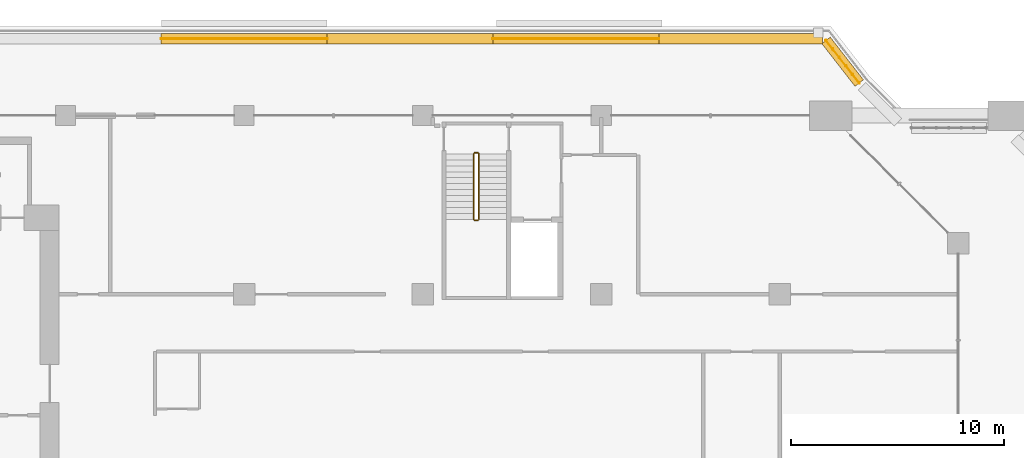
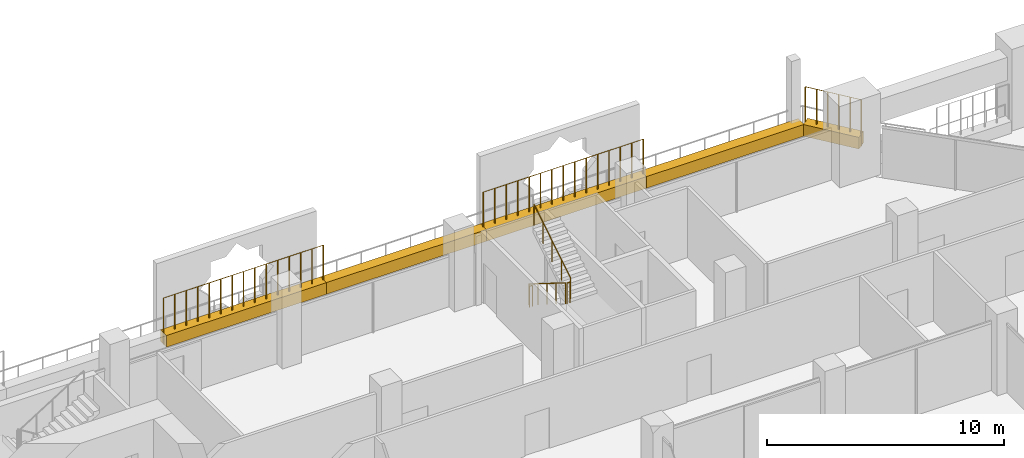
# One storey, part 22 of 23: 7 railings, 5 coverings.
"""IFC4 building model written with IfcOpenShell, lengths in metres."""

from ifc_helpers import new_model, si_unit, direction, frame, origin, origin_2d, place, context, subcontext, project, spatial, rectangle, circle, extrude, material, material_profile, profile_set, type_object, element, save


model = new_model("IFC4")

# Units and contexts
model_context = context("Model", 3, precision=1e-05, world=origin(), true_north=direction((0.0, 1.0)))
body_context = subcontext(model_context, "Body", "Model", "MODEL_VIEW")
ifc_project = project(units=[si_unit("LENGTHUNIT", "METRE"), si_unit("AREAUNIT", "SQUARE_METRE"), si_unit("VOLUMEUNIT", "CUBIC_METRE"), si_unit("PLANEANGLEUNIT", "RADIAN"), si_unit("MASSUNIT", "GRAM", prefix="KILO")], contexts=[model_context])

# Site, building, storey
site_placement = place(None, origin())
site = spatial("IfcSite", under=ifc_project, at=site_placement, CompositionType="ELEMENT")
building_placement = place(site_placement, origin())
building = spatial("IfcBuilding", under=site, at=building_placement, Name="Kawkab Arch Medical Tower", CompositionType="ELEMENT")
storey_placement = place(building_placement, frame((0.0, 0.0, 158.39990234375)))
storey = spatial("IfcBuildingStorey", under=building, at=storey_placement, Name="L36", CompositionType="ELEMENT", Elevation=158.39990234375)

# Coverings
ifc_material_1 = material(Name="Planting soil in a precast trough", Category="concrete")
ifc_material_profile = material_profile(ifc_material_1, rectangle(XDim=0.5, YDim=0.60009765625, at=origin_2d()), Name="Trough 500x600")
ifc_profile_set = profile_set([ifc_material_profile], Name="Planting soil in a precast trough")
covering_type = type_object("IfcCoveringType", Name="Planter trough 500 x 600", PredefinedType="USERDEFINED", material=ifc_profile_set)
covering_1_placement = place(storey_placement, frame((29.697998046875, 3.6201171875, 0.300048828125), z_axis=(1.0, 0.0, 0.0), x_axis=(0.0, 1.0, 0.0)))
element("IfcCovering", 1, at=covering_1_placement, inside=storey, type_object=covering_type, Name="Planter L36.LOG-01-02.37", ObjectType="PLANTER", PredefinedType="USERDEFINED", context=body_context, shape_type="SweptSolid", body=[
    extrude(rectangle(XDim=0.5, YDim=0.60009765625, at=origin_2d()), origin(), (0.0, 0.0, 1.0), 7.803955078125),
])
covering_2_placement = place(storey_placement, frame((37.501953125, 3.6201171875, 0.300048828125), z_axis=(1.0, 0.0, 0.0), x_axis=(0.0, 1.0, 0.0)))
element("IfcCovering", 2, at=covering_2_placement, inside=storey, type_object=covering_type, Name="Planter L36.LOG-01-02.38", ObjectType="PLANTER", PredefinedType="USERDEFINED", context=body_context, shape_type="SweptSolid", body=[
    extrude(rectangle(XDim=0.5, YDim=0.60009765625, at=origin_2d()), origin(), (0.0, 0.0, 1.0), 7.804931640625),
])
covering_3_placement = place(storey_placement, frame((45.306884765625, 3.6201171875, 0.300048828125), z_axis=(1.0, 0.0, 0.0), x_axis=(0.0, 1.0, 0.0)))
element("IfcCovering", 3, at=covering_3_placement, inside=storey, type_object=covering_type, Name="Planter L36.LOG-01-02.39", ObjectType="PLANTER", PredefinedType="USERDEFINED", context=body_context, shape_type="SweptSolid", body=[
    extrude(rectangle(XDim=0.5, YDim=0.60009765625, at=origin_2d()), origin(), (0.0, 0.0, 1.0), 7.80517578125),
])
covering_4_placement = place(storey_placement, frame((53.112060546875, 3.6201171875, 0.300048828125), z_axis=(1.0, 0.0, 0.0), x_axis=(0.0, 1.0, 0.0)))
element("IfcCovering", 4, at=covering_4_placement, inside=storey, type_object=covering_type, Name="Planter L36.LOG-01-02.40", ObjectType="PLANTER", PredefinedType="USERDEFINED", context=body_context, shape_type="SweptSolid", body=[
    extrude(rectangle(XDim=0.5, YDim=0.60009765625, at=origin_2d()), origin(), (0.0, 0.0, 1.0), 7.703857421875),
])
covering_5_placement = place(storey_placement, frame((60.97802734375, 3.541015625, 0.300048828125), z_axis=(0.61404021143, -0.789274742246, 0.0), x_axis=(0.789274742246, 0.61404021143, 0.0)))
element("IfcCovering", 5, at=covering_5_placement, inside=storey, type_object=covering_type, Name="Planter L36.LOG-01-02.41", ObjectType="PLANTER", PredefinedType="USERDEFINED", context=body_context, shape_type="SweptSolid", body=[
    extrude(rectangle(XDim=0.5, YDim=0.60009765625, at=origin_2d()), origin(), (0.0, 0.0, 1.0), 2.54541015625),
])

# Railings
ifc_material_2 = material(Name="Bronze anodised aluminium trellis for climbing plants", Category="aluminium")
railing_type_1 = type_object("IfcRailingType", Name="Planting trellis 2400", PredefinedType="USERDEFINED", material=ifc_material_2)
railing_1_placement = place(storey_placement, frame((29.697998046875, 3.6201171875, 0.0)))
element("IfcRailing", 6, at=railing_1_placement, inside=storey, type_object=railing_type_1, Name="Planting trellis L36.LOG-01-02.37", ObjectType="TRELLIS", PredefinedType="USERDEFINED", context=body_context, shape_type="SweptSolid", body=[
    extrude(circle(Radius=0.01513671875, at=origin_2d()), frame((0.0, 0.0, 2.384765625), z_axis=(1.0, 0.0, 0.0), x_axis=(0.0, 1.0, 0.0)), (0.0, 0.0, 1.0), 7.803955078125),
    extrude(circle(Radius=0.030029296875, at=origin_2d()), origin(), (0.0, 0.0, 1.0), 2.369873046875),
    extrude(circle(Radius=0.030029296875, at=origin_2d()), frame((0.557373046875, 0.0, 0.0)), (0.0, 0.0, 1.0), 2.369873046875),
    extrude(circle(Radius=0.030029296875, at=origin_2d()), frame((1.11474609375, 0.0, 0.0)), (0.0, 0.0, 1.0), 2.369873046875),
    extrude(circle(Radius=0.030029296875, at=origin_2d()), frame((1.67236328125, 0.0, 0.0)), (0.0, 0.0, 1.0), 2.369873046875),
    extrude(circle(Radius=0.030029296875, at=origin_2d()), frame((2.229736328125, 0.0, 0.0)), (0.0, 0.0, 1.0), 2.369873046875),
    extrude(circle(Radius=0.030029296875, at=origin_2d()), frame((2.787109375, 0.0, 0.0)), (0.0, 0.0, 1.0), 2.369873046875),
    extrude(circle(Radius=0.030029296875, at=origin_2d()), frame((3.344482421875, 0.0, 0.0)), (0.0, 0.0, 1.0), 2.369873046875),
    extrude(circle(Radius=0.030029296875, at=origin_2d()), frame((3.90185546875, 0.0, 0.0)), (0.0, 0.0, 1.0), 2.369873046875),
    extrude(circle(Radius=0.030029296875, at=origin_2d()), frame((4.45947265625, 0.0, 0.0)), (0.0, 0.0, 1.0), 2.369873046875),
    extrude(circle(Radius=0.030029296875, at=origin_2d()), frame((5.016845703125, 0.0, 0.0)), (0.0, 0.0, 1.0), 2.369873046875),
    extrude(circle(Radius=0.030029296875, at=origin_2d()), frame((5.57421875, 0.0, 0.0)), (0.0, 0.0, 1.0), 2.369873046875),
    extrude(circle(Radius=0.030029296875, at=origin_2d()), frame((6.131591796875, 0.0, 0.0)), (0.0, 0.0, 1.0), 2.369873046875),
    extrude(circle(Radius=0.030029296875, at=origin_2d()), frame((6.689208984375, 0.0, 0.0)), (0.0, 0.0, 1.0), 2.369873046875),
    extrude(circle(Radius=0.030029296875, at=origin_2d()), frame((7.24658203125, 0.0, 0.0)), (0.0, 0.0, 1.0), 2.369873046875),
    extrude(circle(Radius=0.030029296875, at=origin_2d()), frame((7.803955078125, 0.0, 0.0)), (0.0, 0.0, 1.0), 2.369873046875),
])
railing_2_placement = place(storey_placement, frame((45.306884765625, 3.6201171875, 0.0)))
element("IfcRailing", 7, at=railing_2_placement, inside=storey, type_object=railing_type_1, Name="Planting trellis L36.LOG-01-02.39", ObjectType="TRELLIS", PredefinedType="USERDEFINED", context=body_context, shape_type="SweptSolid", body=[
    extrude(circle(Radius=0.01513671875, at=origin_2d()), frame((0.0, 0.0, 2.384765625), z_axis=(1.0, 0.0, 0.0), x_axis=(0.0, 1.0, 0.0)), (0.0, 0.0, 1.0), 7.80517578125),
    extrude(circle(Radius=0.030029296875, at=origin_2d()), origin(), (0.0, 0.0, 1.0), 2.369873046875),
    extrude(circle(Radius=0.030029296875, at=origin_2d()), frame((0.5576171875, 0.0, 0.0)), (0.0, 0.0, 1.0), 2.369873046875),
    extrude(circle(Radius=0.030029296875, at=origin_2d()), frame((1.114990234375, 0.0, 0.0)), (0.0, 0.0, 1.0), 2.369873046875),
    extrude(circle(Radius=0.030029296875, at=origin_2d()), frame((1.672607421875, 0.0, 0.0)), (0.0, 0.0, 1.0), 2.369873046875),
    extrude(circle(Radius=0.030029296875, at=origin_2d()), frame((2.22998046875, 0.0, 0.0)), (0.0, 0.0, 1.0), 2.369873046875),
    extrude(circle(Radius=0.030029296875, at=origin_2d()), frame((2.78759765625, 0.0, 0.0)), (0.0, 0.0, 1.0), 2.369873046875),
    extrude(circle(Radius=0.030029296875, at=origin_2d()), frame((3.344970703125, 0.0, 0.0)), (0.0, 0.0, 1.0), 2.369873046875),
    extrude(circle(Radius=0.030029296875, at=origin_2d()), frame((3.902587890625, 0.0, 0.0)), (0.0, 0.0, 1.0), 2.369873046875),
    extrude(circle(Radius=0.030029296875, at=origin_2d()), frame((4.460205078125, 0.0, 0.0)), (0.0, 0.0, 1.0), 2.369873046875),
    extrude(circle(Radius=0.030029296875, at=origin_2d()), frame((5.017578125, 0.0, 0.0)), (0.0, 0.0, 1.0), 2.369873046875),
    extrude(circle(Radius=0.030029296875, at=origin_2d()), frame((5.5751953125, 0.0, 0.0)), (0.0, 0.0, 1.0), 2.369873046875),
    extrude(circle(Radius=0.030029296875, at=origin_2d()), frame((6.132568359375, 0.0, 0.0)), (0.0, 0.0, 1.0), 2.369873046875),
    extrude(circle(Radius=0.030029296875, at=origin_2d()), frame((6.690185546875, 0.0, 0.0)), (0.0, 0.0, 1.0), 2.369873046875),
    extrude(circle(Radius=0.030029296875, at=origin_2d()), frame((7.24755859375, 0.0, 0.0)), (0.0, 0.0, 1.0), 2.369873046875),
    extrude(circle(Radius=0.030029296875, at=origin_2d()), frame((7.80517578125, 0.0, 0.0)), (0.0, 0.0, 1.0), 2.369873046875),
])
railing_3_placement = place(storey_placement, frame((60.97802734375, 3.541015625, 0.0)))
element("IfcRailing", 8, at=railing_3_placement, inside=storey, type_object=railing_type_1, Name="Planting trellis L36.LOG-01-02.41", ObjectType="TRELLIS", PredefinedType="USERDEFINED", context=body_context, shape_type="SweptSolid", body=[
    extrude(circle(Radius=0.01513671875, at=origin_2d()), frame((0.0, 0.0, 2.384765625), z_axis=(0.61404021143, -0.789274742246, 0.0), x_axis=(0.789274742246, 0.61404021143, 0.0)), (0.0, 0.0, 1.0), 2.54541015625),
    extrude(circle(Radius=0.030029296875, at=origin_2d()), origin(), (0.0, 0.0, 1.0), 2.369873046875),
    extrude(circle(Radius=0.030029296875, at=origin_2d()), frame((0.3125, -0.40185546875, 0.0)), (0.0, 0.0, 1.0), 2.369873046875),
    extrude(circle(Radius=0.030029296875, at=origin_2d()), frame((0.625244140625, -0.8037109375, 0.0)), (0.0, 0.0, 1.0), 2.369873046875),
    extrude(circle(Radius=0.030029296875, at=origin_2d()), frame((0.937744140625, -1.205322265625, 0.0)), (0.0, 0.0, 1.0), 2.369873046875),
    extrude(circle(Radius=0.030029296875, at=origin_2d()), frame((1.25048828125, -1.607177734375, 0.0)), (0.0, 0.0, 1.0), 2.369873046875),
    extrude(circle(Radius=0.030029296875, at=origin_2d()), frame((1.56298828125, -2.009033203125, 0.0)), (0.0, 0.0, 1.0), 2.369873046875),
])
ifc_material_3 = material(Name="Stainless steel", Category="steel")
railing_type_2 = type_object("IfcRailingType", Name="Stair guard 1100", PredefinedType="GUARDRAIL", material=ifc_material_3)
railing_4_placement = place(storey_placement, frame((44.39990234375, -1.800048828125, 0.175048828125)))
element("IfcRailing", 9, at=railing_4_placement, inside=storey, type_object=railing_type_2, Name="L36 ST5 stair guard 1", PredefinedType="GUARDRAIL", context=body_context, shape_type="SweptSolid", body=[
    extrude(circle(Radius=0.02392578125, at=origin_2d()), frame((0.0, 0.0, 1.076171875), z_axis=(0.0, -0.847979421464, 0.530029150871), x_axis=(1.0, 0.0, 0.0)), (0.0, 0.0, 1.0), 3.632080078125),
    extrude(circle(Radius=0.02099609375, at=origin_2d()), origin(), (0.0, 0.0, 1.0), 1.052001953125),
    extrude(circle(Radius=0.02099609375, at=origin_2d()), frame((0.0, -0.77001953125, 0.481201171875)), (0.0, 0.0, 1.0), 1.052001953125),
    extrude(circle(Radius=0.02099609375, at=origin_2d()), frame((0.0, -1.5400390625, 0.96240234375)), (0.0, 0.0, 1.0), 1.052001953125),
    extrude(circle(Radius=0.02099609375, at=origin_2d()), frame((0.0, -2.309814453125, 1.44384765625)), (0.0, 0.0, 1.0), 1.052001953125),
    extrude(circle(Radius=0.02099609375, at=origin_2d()), frame((0.0, -3.079833984375, 1.925048828125)), (0.0, 0.0, 1.0), 1.052001953125),
])
railing_5_placement = place(storey_placement, frame((44.449951171875, -4.929931640625, 2.10009765625)))
element("IfcRailing", 10, at=railing_5_placement, inside=storey, type_object=railing_type_2, Name="L36 ST5 stair guard 2", PredefinedType="GUARDRAIL", context=body_context, shape_type="SweptSolid", body=[
    extrude(circle(Radius=0.02392578125, at=origin_2d()), frame((0.0, 0.0, 1.076171875), z_axis=(1.0, 0.0, 0.0), x_axis=(0.0, 1.0, 0.0)), (0.0, 0.0, 1.0), 0.150146484375),
    extrude(circle(Radius=0.02099609375, at=origin_2d()), origin(), (0.0, 0.0, 1.0), 1.052001953125),
    extrude(circle(Radius=0.02099609375, at=origin_2d()), frame((0.150146484375, 0.0, 0.0)), (0.0, 0.0, 1.0), 1.052001953125),
])
railing_6_placement = place(storey_placement, frame((44.64990234375, -4.8798828125, 2.275146484375)))
element("IfcRailing", 11, at=railing_6_placement, inside=storey, type_object=railing_type_2, Name="L36 ST5 stair guard 3", PredefinedType="GUARDRAIL", context=body_context, shape_type="SweptSolid", body=[
    extrude(circle(Radius=0.02392578125, at=origin_2d()), frame((0.0, 0.0, 1.076171875), z_axis=(0.0, 0.847979421464, 0.530029150871), x_axis=(-1.0, 0.0, 0.0)), (0.0, 0.0, 1.0), 3.632080078125),
    extrude(circle(Radius=0.02099609375, at=origin_2d()), origin(), (0.0, 0.0, 1.0), 1.052001953125),
    extrude(circle(Radius=0.02099609375, at=origin_2d()), frame((0.0, 0.77001953125, 0.481201171875)), (0.0, 0.0, 1.0), 1.052001953125),
    extrude(circle(Radius=0.02099609375, at=origin_2d()), frame((0.0, 1.5400390625, 0.96240234375)), (0.0, 0.0, 1.0), 1.052001953125),
    extrude(circle(Radius=0.02099609375, at=origin_2d()), frame((0.0, 2.309814453125, 1.44384765625)), (0.0, 0.0, 1.0), 1.052001953125),
    extrude(circle(Radius=0.02099609375, at=origin_2d()), frame((0.0, 3.079833984375, 1.925048828125)), (0.0, 0.0, 1.0), 1.052001953125),
])
railing_7_placement = place(storey_placement, frame((44.449951171875, -1.75, 0.0)))
element("IfcRailing", 12, at=railing_7_placement, inside=storey, type_object=railing_type_2, Name="L36 ST5 stair guard 4", PredefinedType="GUARDRAIL", context=body_context, shape_type="SweptSolid", body=[
    extrude(circle(Radius=0.02392578125, at=origin_2d()), frame((0.0, 0.0, 1.076171875), z_axis=(1.0, 0.0, 0.0), x_axis=(0.0, 1.0, 0.0)), (0.0, 0.0, 1.0), 0.150146484375),
    extrude(circle(Radius=0.02099609375, at=origin_2d()), origin(), (0.0, 0.0, 1.0), 1.052001953125),
    extrude(circle(Radius=0.02099609375, at=origin_2d()), frame((0.150146484375, 0.0, 0.0)), (0.0, 0.0, 1.0), 1.052001953125),
])

save(model, "model.ifc")
